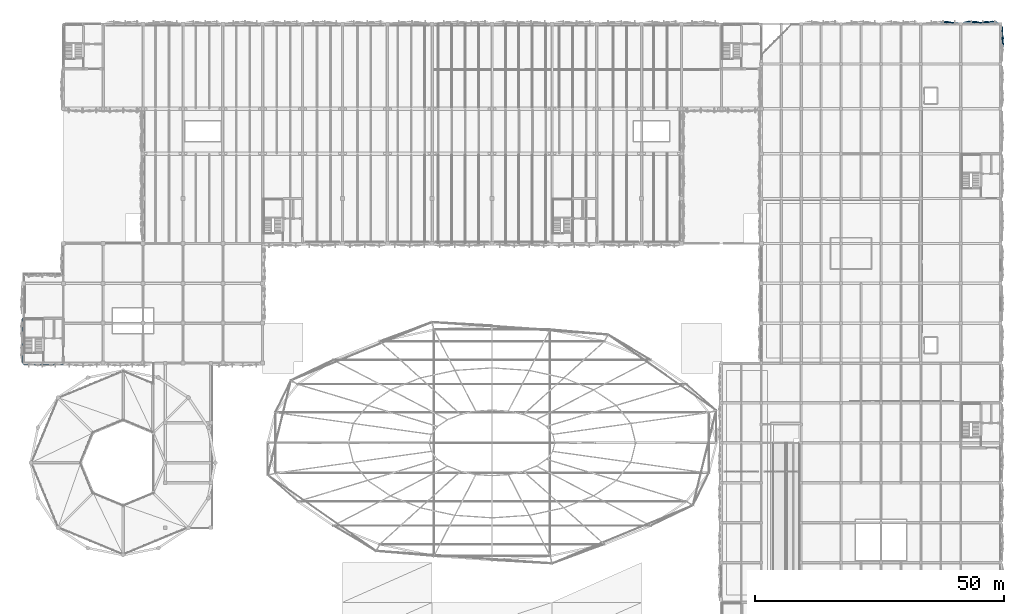
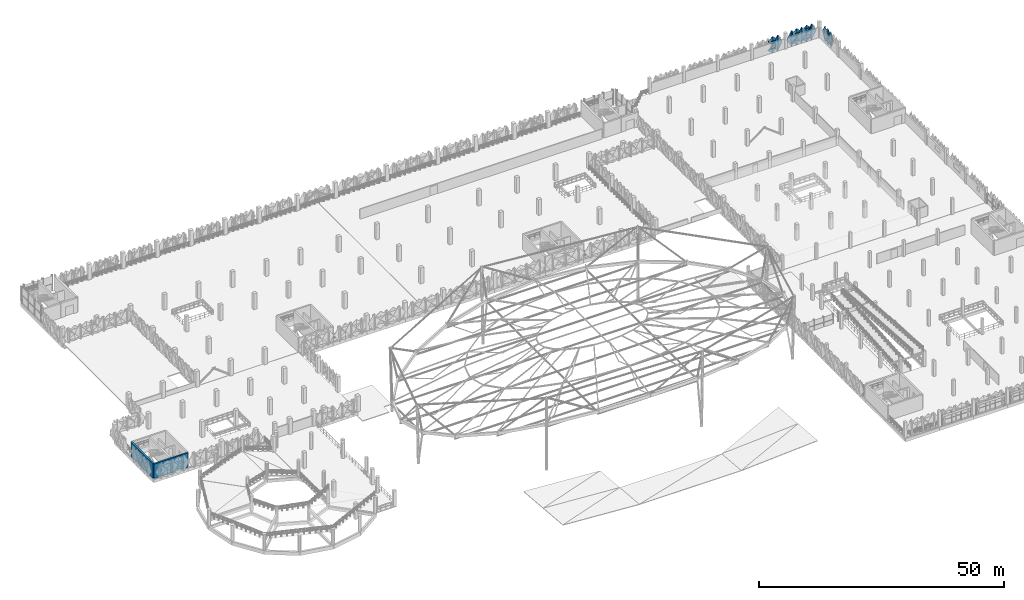
# One storey, part 49 of 96: 14 plates, 2 walls.
"""IFC4 building model written with IfcOpenShell, lengths in metres."""

from ifc_helpers import new_model, si_unit, derived_unit, direction, frame, frame_2d, origin, place, context, subcontext, project, spatial, rectangle, extrude, polygons, material, layer, layer_set, type_object, element, save


model = new_model("IFC4")

# Units and contexts
model_context = context("Model", 3, precision=1e-05, world=origin(), true_north=direction((0.0, 1.0)))
body_context = subcontext(model_context, "Body", "Model", "MODEL_VIEW")
ifc_project = project(units=[si_unit("LENGTHUNIT", "METRE"), si_unit("AREAUNIT", "SQUARE_METRE"), si_unit("VOLUMEUNIT", "CUBIC_METRE"), si_unit("PLANEANGLEUNIT", "RADIAN"), si_unit("MASSUNIT", "GRAM", prefix="KILO"), si_unit("THERMODYNAMICTEMPERATUREUNIT", "KELVIN"), derived_unit("THERMALTRANSMITTANCEUNIT", [(si_unit("POWERUNIT", "WATT"), 1), (si_unit("AREAUNIT", "SQUARE_METRE"), -1), (si_unit("THERMODYNAMICTEMPERATUREUNIT", "KELVIN"), -1)])], contexts=[model_context])

# Site, building, storey
site_placement = place(None, origin())
site = spatial("IfcSite", under=ifc_project, at=site_placement, CompositionType="ELEMENT")
building_placement = place(site_placement, origin())
building = spatial("IfcBuilding", under=site, at=building_placement, Name="Haiyu Intermodal Mobility Hub", CompositionType="ELEMENT")
storey_placement = place(building_placement, frame((0.0, 0.0, 9.5)))
storey = spatial("IfcBuildingStorey", under=building, at=storey_placement, Name="L02", CompositionType="ELEMENT", Elevation=9.5)

# Plates
ifc_material_1 = material(Name="Anodised aluminium 6063-T6", Category="aluminium")
ifc_layer_1 = layer(ifc_material_1, 0.01806640625)
ifc_layer_set_1 = layer_set([ifc_layer_1], Name="Anodised aluminium 6063-T6")
plate_type_1 = type_object("IfcPlateType", Name="PLT-FC01", PredefinedType="USERDEFINED", material=ifc_layer_set_1)
plate_1_placement = place(storey_placement, origin())
element("IfcPlate", 1, at=plate_1_placement, inside=storey, type_object=plate_type_1, Name="PLT-PYR-1189", ObjectType="FACADE CASSETTE", PredefinedType="USERDEFINED", context=body_context, shape_type="Tessellation", body=[
    polygons([(203.653076171875, 148.39990234375, -0.510009765625), (202.5, 148.39990234375, 1.60009765625), (203.653076171875, 148.39990234375, 3.7099609375), (204.806884765625, 148.39990234375, 1.60009765625), (203.653076171875, 148.679931640625, 1.60009765625), (203.653076171875, 148.3779296875, -0.510009765625), (202.5, 148.3779296875, 1.60009765625), (203.653076171875, 148.3779296875, 3.7099609375), (204.806884765625, 148.3779296875, 1.60009765625), (203.653076171875, 148.657958984375, 1.60009765625)], [[[1, 2, 5]], [[2, 3, 5]], [[3, 4, 5]], [[4, 1, 5]], [[7, 6, 10]], [[8, 7, 10]], [[9, 8, 10]], [[6, 9, 10]], [[1, 6, 7, 2]], [[2, 7, 8, 3]], [[3, 8, 9, 4]], [[4, 9, 6, 1]]], closed=True),
])
ifc_layer_2 = layer(ifc_material_1, 0.02001953125)
ifc_layer_set_2 = layer_set([ifc_layer_2], Name="Anodised aluminium 6063-T6")
plate_type_2 = type_object("IfcPlateType", Name="PLT-FC02", PredefinedType="USERDEFINED", material=ifc_layer_set_2)
plate_2_placement = place(storey_placement, origin())
element("IfcPlate", 2, at=plate_2_placement, inside=storey, type_object=plate_type_2, Name="PLT-PYR-1154", ObjectType="FACADE CASSETTE", PredefinedType="USERDEFINED", context=body_context, shape_type="Tessellation", body=[
    polygons([(210.39990234375, 146.346923828125, -0.510009765625), (210.39990234375, 147.5, 1.60009765625), (210.39990234375, 146.346923828125, 3.7099609375), (210.39990234375, 145.193115234375, 1.60009765625), (210.139892578125, 146.346923828125, 1.60009765625), (210.3779296875, 146.346923828125, -0.510009765625), (210.3779296875, 147.5, 1.60009765625), (210.3779296875, 146.346923828125, 3.7099609375), (210.3779296875, 145.193115234375, 1.60009765625), (210.117919921875, 146.346923828125, 1.60009765625)], [[[1, 2, 5]], [[2, 3, 5]], [[3, 4, 5]], [[4, 1, 5]], [[7, 6, 10]], [[8, 7, 10]], [[9, 8, 10]], [[6, 9, 10]], [[1, 6, 7, 2]], [[2, 7, 8, 3]], [[3, 8, 9, 4]], [[4, 9, 6, 1]]], closed=True),
])
ifc_layer_3 = layer(ifc_material_1, 0.01806640625)
ifc_layer_set_3 = layer_set([ifc_layer_3], Name="Anodised aluminium 6063-T6")
plate_type_3 = type_object("IfcPlateType", Name="PLT-FC05", PredefinedType="USERDEFINED", material=ifc_layer_set_3)
plate_3_placement = place(storey_placement, origin())
element("IfcPlate", 3, at=plate_3_placement, inside=storey, type_object=plate_type_3, Name="PLT-PYR-1177", ObjectType="FACADE CASSETTE", PredefinedType="USERDEFINED", context=body_context, shape_type="Tessellation", body=[
    polygons([(199.173095703125, 148.39990234375, -0.52001953125), (198.02001953125, 148.39990234375, 0.530029296875), (199.173095703125, 148.39990234375, 1.580078125), (200.326904296875, 148.39990234375, 0.530029296875), (199.173095703125, 148.659912109375, 0.530029296875), (199.173095703125, 148.3779296875, -0.52001953125), (198.02001953125, 148.3779296875, 0.530029296875), (199.173095703125, 148.3779296875, 1.580078125), (200.326904296875, 148.3779296875, 0.530029296875), (199.173095703125, 148.637939453125, 0.530029296875)], [[[1, 2, 5]], [[2, 3, 5]], [[3, 4, 5]], [[4, 1, 5]], [[7, 6, 10]], [[8, 7, 10]], [[9, 8, 10]], [[6, 9, 10]], [[1, 6, 7, 2]], [[2, 7, 8, 3]], [[3, 8, 9, 4]], [[4, 9, 6, 1]]], closed=True),
])
plate_4_placement = place(storey_placement, origin())
element("IfcPlate", 4, at=plate_4_placement, inside=storey, type_object=plate_type_3, Name="PLT-PYR-1183", ObjectType="FACADE CASSETTE", PredefinedType="USERDEFINED", context=body_context, shape_type="Tessellation", body=[
    polygons([(208.346923828125, 148.39990234375, -0.510009765625), (207.193115234375, 148.39990234375, 1.60009765625), (208.346923828125, 148.39990234375, 3.7099609375), (209.5, 148.39990234375, 1.60009765625), (208.346923828125, 148.679931640625, 1.60009765625), (208.346923828125, 148.3779296875, -0.510009765625), (207.193115234375, 148.3779296875, 1.60009765625), (208.346923828125, 148.3779296875, 3.7099609375), (209.5, 148.3779296875, 1.60009765625), (208.346923828125, 148.657958984375, 1.60009765625)], [[[1, 2, 5]], [[2, 3, 5]], [[3, 4, 5]], [[4, 1, 5]], [[7, 6, 10]], [[8, 7, 10]], [[9, 8, 10]], [[6, 9, 10]], [[1, 6, 7, 2]], [[2, 7, 8, 3]], [[3, 8, 9, 4]], [[4, 9, 6, 1]]], closed=True),
])
plate_5_placement = place(storey_placement, origin())
element("IfcPlate", 5, at=plate_5_placement, inside=storey, type_object=plate_type_3, Name="PLT-PYR-1187", ObjectType="FACADE CASSETTE", PredefinedType="USERDEFINED", context=body_context, shape_type="Tessellation", body=[
    polygons([(204.826904296875, 148.39990234375, -0.52001953125), (203.673095703125, 148.39990234375, 0.530029296875), (204.826904296875, 148.39990234375, 1.580078125), (205.97998046875, 148.39990234375, 0.530029296875), (204.826904296875, 148.659912109375, 0.530029296875), (204.826904296875, 148.3779296875, -0.52001953125), (203.673095703125, 148.3779296875, 0.530029296875), (204.826904296875, 148.3779296875, 1.580078125), (205.97998046875, 148.3779296875, 0.530029296875), (204.826904296875, 148.637939453125, 0.530029296875)], [[[1, 2, 5]], [[2, 3, 5]], [[3, 4, 5]], [[4, 1, 5]], [[7, 6, 10]], [[8, 7, 10]], [[9, 8, 10]], [[6, 9, 10]], [[1, 6, 7, 2]], [[2, 7, 8, 3]], [[3, 8, 9, 4]], [[4, 9, 6, 1]]], closed=True),
])
ifc_layer_4 = layer(ifc_material_1, 0.02001953125)
ifc_layer_set_4 = layer_set([ifc_layer_4], Name="Anodised aluminium 6063-T6")
plate_type_4 = type_object("IfcPlateType", Name="PLT-FC06", PredefinedType="USERDEFINED", material=ifc_layer_set_4)
plate_6_placement = place(storey_placement, origin())
element("IfcPlate", 6, at=plate_6_placement, inside=storey, type_object=plate_type_4, Name="PLT-PYR-1152", ObjectType="FACADE CASSETTE", PredefinedType="USERDEFINED", context=body_context, shape_type="Tessellation", body=[
    polygons([(210.39990234375, 145.173095703125, -0.52001953125), (210.39990234375, 146.326904296875, 0.530029296875), (210.39990234375, 145.173095703125, 1.580078125), (210.39990234375, 144.02001953125, 0.530029296875), (210.179931640625, 145.173095703125, 0.530029296875), (210.3779296875, 145.173095703125, -0.52001953125), (210.3779296875, 146.326904296875, 0.530029296875), (210.3779296875, 145.173095703125, 1.580078125), (210.3779296875, 144.02001953125, 0.530029296875), (210.157958984375, 145.173095703125, 0.530029296875)], [[[1, 2, 5]], [[2, 3, 5]], [[3, 4, 5]], [[4, 1, 5]], [[7, 6, 10]], [[8, 7, 10]], [[9, 8, 10]], [[6, 9, 10]], [[1, 6, 7, 2]], [[2, 7, 8, 3]], [[3, 8, 9, 4]], [[4, 9, 6, 1]]], closed=True),
])
plate_7_placement = place(storey_placement, origin())
element("IfcPlate", 7, at=plate_7_placement, inside=storey, type_object=plate_type_4, Name="PLT-PYR-1176", ObjectType="FACADE CASSETTE", PredefinedType="USERDEFINED", context=body_context, shape_type="Tessellation", body=[
    polygons([(200.346923828125, 148.39990234375, -0.510009765625), (199.193115234375, 148.39990234375, 1.60009765625), (200.346923828125, 148.39990234375, 3.7099609375), (201.5, 148.39990234375, 1.60009765625), (200.346923828125, 148.139892578125, 1.60009765625), (200.346923828125, 148.3779296875, -0.510009765625), (199.193115234375, 148.3779296875, 1.60009765625), (200.346923828125, 148.3779296875, 3.7099609375), (201.5, 148.3779296875, 1.60009765625), (200.346923828125, 148.117919921875, 1.60009765625)], [[[1, 2, 5]], [[2, 3, 5]], [[3, 4, 5]], [[4, 1, 5]], [[7, 6, 10]], [[8, 7, 10]], [[9, 8, 10]], [[6, 9, 10]], [[1, 6, 7, 2]], [[2, 7, 8, 3]], [[3, 8, 9, 4]], [[4, 9, 6, 1]]], closed=True),
])
plate_8_placement = place(storey_placement, origin())
element("IfcPlate", 8, at=plate_8_placement, inside=storey, type_object=plate_type_4, Name="PLT-PYR-1184", ObjectType="FACADE CASSETTE", PredefinedType="USERDEFINED", context=body_context, shape_type="Tessellation", body=[
    polygons([(207.173095703125, 148.39990234375, -0.52001953125), (206.02001953125, 148.39990234375, 0.530029296875), (207.173095703125, 148.39990234375, 1.580078125), (208.326904296875, 148.39990234375, 0.530029296875), (207.173095703125, 148.179931640625, 0.530029296875), (207.173095703125, 148.3779296875, -0.52001953125), (206.02001953125, 148.3779296875, 0.530029296875), (207.173095703125, 148.3779296875, 1.580078125), (208.326904296875, 148.3779296875, 0.530029296875), (207.173095703125, 148.157958984375, 0.530029296875)], [[[1, 2, 5]], [[2, 3, 5]], [[3, 4, 5]], [[4, 1, 5]], [[7, 6, 10]], [[8, 7, 10]], [[9, 8, 10]], [[6, 9, 10]], [[1, 6, 7, 2]], [[2, 7, 8, 3]], [[3, 8, 9, 4]], [[4, 9, 6, 1]]], closed=True),
])
ifc_layer_5 = layer(ifc_material_1, 0.02197265625)
ifc_layer_set_5 = layer_set([ifc_layer_5], Name="Anodised aluminium 6063-T6")
plate_type_5 = type_object("IfcPlateType", Name="PLT-FC07", PredefinedType="USERDEFINED", material=ifc_layer_set_5)
plate_9_placement = place(storey_placement, origin())
element("IfcPlate", 9, at=plate_9_placement, inside=storey, type_object=plate_type_5, Name="PLT-PYR-1151", ObjectType="FACADE CASSETTE", PredefinedType="USERDEFINED", context=body_context, shape_type="Tessellation", body=[
    polygons([(210.39990234375, 144.0, -0.510009765625), (210.39990234375, 145.153076171875, 1.60009765625), (210.39990234375, 144.0, 3.7099609375), (210.39990234375, 142.846923828125, 1.60009765625), (210.679931640625, 144.0, 1.60009765625), (210.3779296875, 144.0, -0.510009765625), (210.3779296875, 145.153076171875, 1.60009765625), (210.3779296875, 144.0, 3.7099609375), (210.3779296875, 142.846923828125, 1.60009765625), (210.657958984375, 144.0, 1.60009765625)], [[[1, 2, 5]], [[2, 3, 5]], [[3, 4, 5]], [[4, 1, 5]], [[7, 6, 10]], [[8, 7, 10]], [[9, 8, 10]], [[6, 9, 10]], [[1, 6, 7, 2]], [[2, 7, 8, 3]], [[3, 8, 9, 4]], [[4, 9, 6, 1]]], closed=True),
])
plate_10_placement = place(storey_placement, origin())
element("IfcPlate", 10, at=plate_10_placement, inside=storey, type_object=plate_type_5, Name="PLT-PYR-1153", ObjectType="FACADE CASSETTE", PredefinedType="USERDEFINED", context=body_context, shape_type="Tessellation", body=[
    polygons([(210.39990234375, 145.173095703125, 1.6201171875), (210.39990234375, 146.326904296875, 2.669921875), (210.39990234375, 145.173095703125, 3.719970703125), (210.39990234375, 144.02001953125, 2.669921875), (210.659912109375, 145.173095703125, 2.669921875), (210.3779296875, 145.173095703125, 1.6201171875), (210.3779296875, 146.326904296875, 2.669921875), (210.3779296875, 145.173095703125, 3.719970703125), (210.3779296875, 144.02001953125, 2.669921875), (210.637939453125, 145.173095703125, 2.669921875)], [[[1, 2, 5]], [[2, 3, 5]], [[3, 4, 5]], [[4, 1, 5]], [[7, 6, 10]], [[8, 7, 10]], [[9, 8, 10]], [[6, 9, 10]], [[1, 6, 7, 2]], [[2, 7, 8, 3]], [[3, 8, 9, 4]], [[4, 9, 6, 1]]], closed=True),
])
plate_11_placement = place(storey_placement, origin())
element("IfcPlate", 11, at=plate_11_placement, inside=storey, type_object=plate_type_5, Name="PLT-PYR-1185", ObjectType="FACADE CASSETTE", PredefinedType="USERDEFINED", context=body_context, shape_type="Tessellation", body=[
    polygons([(207.173095703125, 148.39990234375, 1.6201171875), (206.02001953125, 148.39990234375, 2.669921875), (207.173095703125, 148.39990234375, 3.719970703125), (208.326904296875, 148.39990234375, 2.669921875), (207.173095703125, 148.659912109375, 2.669921875), (207.173095703125, 148.3779296875, 1.6201171875), (206.02001953125, 148.3779296875, 2.669921875), (207.173095703125, 148.3779296875, 3.719970703125), (208.326904296875, 148.3779296875, 2.669921875), (207.173095703125, 148.637939453125, 2.669921875)], [[[1, 2, 5]], [[2, 3, 5]], [[3, 4, 5]], [[4, 1, 5]], [[7, 6, 10]], [[8, 7, 10]], [[9, 8, 10]], [[6, 9, 10]], [[1, 6, 7, 2]], [[2, 7, 8, 3]], [[3, 8, 9, 4]], [[4, 9, 6, 1]]], closed=True),
])
ifc_layer_6 = layer(ifc_material_1, 0.02392578125)
ifc_layer_set_6 = layer_set([ifc_layer_6], Name="Anodised aluminium 6063-T6")
plate_type_6 = type_object("IfcPlateType", Name="PLT-FC08", PredefinedType="USERDEFINED", material=ifc_layer_set_6)
plate_12_placement = place(storey_placement, origin())
element("IfcPlate", 12, at=plate_12_placement, inside=storey, type_object=plate_type_6, Name="PLT-PYR-1178", ObjectType="FACADE CASSETTE", PredefinedType="USERDEFINED", context=body_context, shape_type="Tessellation", body=[
    polygons([(199.173095703125, 148.39990234375, 1.6201171875), (198.02001953125, 148.39990234375, 2.669921875), (199.173095703125, 148.39990234375, 3.719970703125), (200.326904296875, 148.39990234375, 2.669921875), (199.173095703125, 148.179931640625, 2.669921875), (199.173095703125, 148.3779296875, 1.6201171875), (198.02001953125, 148.3779296875, 2.669921875), (199.173095703125, 148.3779296875, 3.719970703125), (200.326904296875, 148.3779296875, 2.669921875), (199.173095703125, 148.157958984375, 2.669921875)], [[[1, 2, 5]], [[2, 3, 5]], [[3, 4, 5]], [[4, 1, 5]], [[7, 6, 10]], [[8, 7, 10]], [[9, 8, 10]], [[6, 9, 10]], [[1, 6, 7, 2]], [[2, 7, 8, 3]], [[3, 8, 9, 4]], [[4, 9, 6, 1]]], closed=True),
])
plate_13_placement = place(storey_placement, origin())
element("IfcPlate", 13, at=plate_13_placement, inside=storey, type_object=plate_type_6, Name="PLT-PYR-1186", ObjectType="FACADE CASSETTE", PredefinedType="USERDEFINED", context=body_context, shape_type="Tessellation", body=[
    polygons([(206.0, 148.39990234375, -0.510009765625), (204.846923828125, 148.39990234375, 1.60009765625), (206.0, 148.39990234375, 3.7099609375), (207.153076171875, 148.39990234375, 1.60009765625), (206.0, 148.139892578125, 1.60009765625), (206.0, 148.3779296875, -0.510009765625), (204.846923828125, 148.3779296875, 1.60009765625), (206.0, 148.3779296875, 3.7099609375), (207.153076171875, 148.3779296875, 1.60009765625), (206.0, 148.117919921875, 1.60009765625)], [[[1, 2, 5]], [[2, 3, 5]], [[3, 4, 5]], [[4, 1, 5]], [[7, 6, 10]], [[8, 7, 10]], [[9, 8, 10]], [[6, 9, 10]], [[1, 6, 7, 2]], [[2, 7, 8, 3]], [[3, 8, 9, 4]], [[4, 9, 6, 1]]], closed=True),
])
plate_14_placement = place(storey_placement, origin())
element("IfcPlate", 14, at=plate_14_placement, inside=storey, type_object=plate_type_6, Name="PLT-PYR-1188", ObjectType="FACADE CASSETTE", PredefinedType="USERDEFINED", context=body_context, shape_type="Tessellation", body=[
    polygons([(204.826904296875, 148.39990234375, 1.6201171875), (203.673095703125, 148.39990234375, 2.669921875), (204.826904296875, 148.39990234375, 3.719970703125), (205.97998046875, 148.39990234375, 2.669921875), (204.826904296875, 148.179931640625, 2.669921875), (204.826904296875, 148.3779296875, 1.6201171875), (203.673095703125, 148.3779296875, 2.669921875), (204.826904296875, 148.3779296875, 3.719970703125), (205.97998046875, 148.3779296875, 2.669921875), (204.826904296875, 148.157958984375, 2.669921875)], [[[1, 2, 5]], [[2, 3, 5]], [[3, 4, 5]], [[4, 1, 5]], [[7, 6, 10]], [[8, 7, 10]], [[9, 8, 10]], [[6, 9, 10]], [[1, 6, 7, 2]], [[2, 7, 8, 3]], [[3, 8, 9, 4]], [[4, 9, 6, 1]]], closed=True),
])

# Walls
ifc_material_2 = material(Name="Concrete C40", Category="concrete")
ifc_layer_7 = layer(ifc_material_2, 0.3798828125)
ifc_layer_set_7 = layer_set([ifc_layer_7], Name="Concrete C40")
wall_type = type_object("IfcWallType", Name="WAL-WS03", PredefinedType="SHEAR", material=ifc_layer_set_7)
wall_1_placement = place(storey_placement, frame((14.0, 80.0, 0.0), z_axis=(0.0, 0.0, 1.0), x_axis=(1.0, 0.0, 0.0)))
element("IfcWall", 15, at=wall_1_placement, inside=storey, type_object=wall_type, Name="WAL-CORE-C7-S-L02", PredefinedType="SHEAR", context=body_context, shape_type="SweptSolid", body=[
    extrude(rectangle(XDim=8.0, YDim=0.3798828125, at=frame_2d((4.0, 0.0))), origin(), (0.0, 0.0, 1.0), 3.6201171875),
])
wall_2_placement = place(storey_placement, frame((14.0, 89.0, 0.0), z_axis=(0.0, 0.0, 1.0), x_axis=(0.0, -1.0, 0.0)))
element("IfcWall", 16, at=wall_2_placement, inside=storey, type_object=wall_type, Name="WAL-CORE-C7-W-L02", PredefinedType="SHEAR", context=body_context, shape_type="SweptSolid", body=[
    extrude(rectangle(XDim=9.0, YDim=0.3798828125, at=frame_2d((4.5, 0.0))), origin(), (0.0, 0.0, 1.0), 3.6201171875),
])

save(model, "model.ifc")
